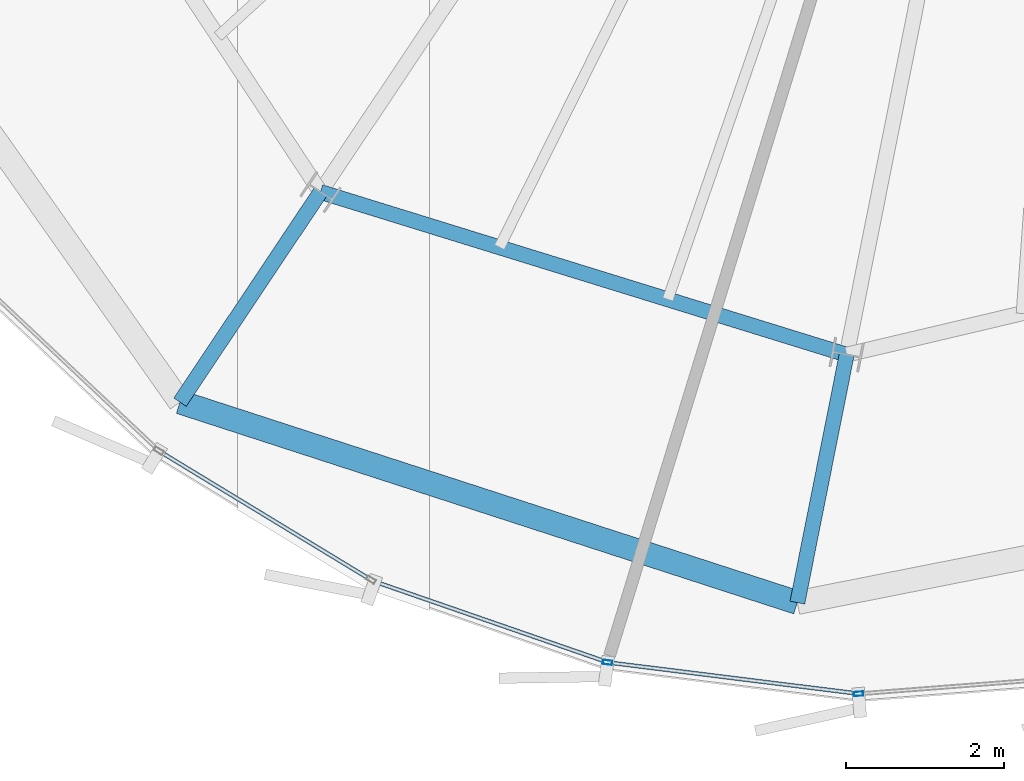
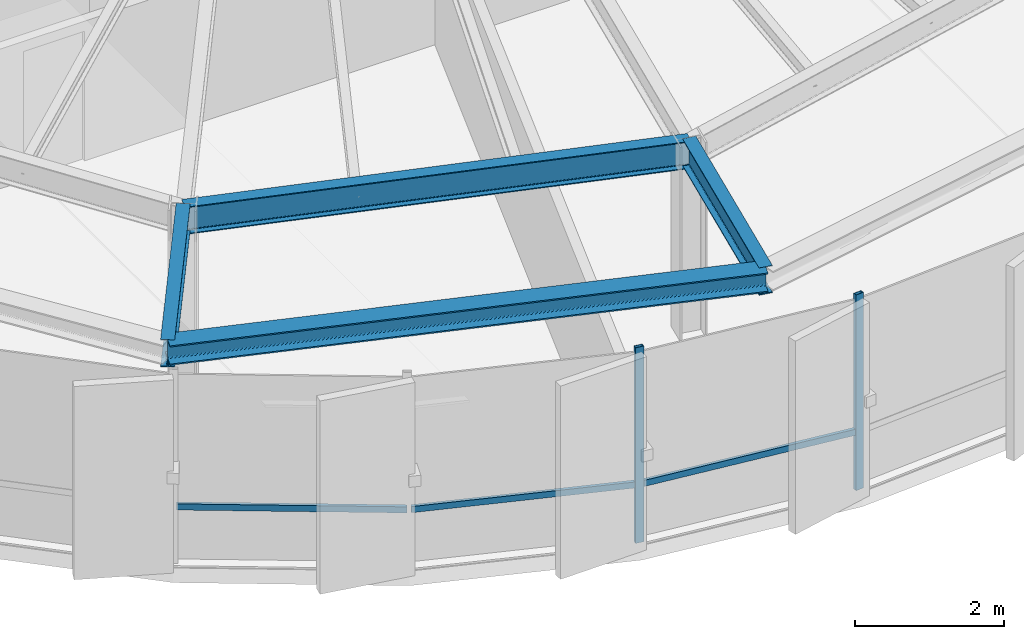
# One storey, part 3 of 30: 5 members, 4 beams, 2 elements without a shape of their own.
"""IFC4 building model written with IfcOpenShell, lengths in metres."""

from ifc_helpers import new_model, si_unit, direction, frame, origin, origin_2d, place, context, subcontext, project, spatial, hollow_rectangle, i_section, extrude, source, transform, mapped, material, layer, layer_set, material_profile, profile_set, type_object, element, aggregate, save


model = new_model("IFC4")

# Units and contexts
model_context = context("Model", 3, precision=1e-05, world=origin(), true_north=direction((0.0, 1.0)))
body_context = subcontext(model_context, "Body", "Model", "MODEL_VIEW")
ifc_project = project(units=[si_unit("LENGTHUNIT", "METRE"), si_unit("AREAUNIT", "SQUARE_METRE"), si_unit("VOLUMEUNIT", "CUBIC_METRE"), si_unit("PLANEANGLEUNIT", "RADIAN"), si_unit("MASSUNIT", "GRAM", prefix="KILO"), si_unit("THERMODYNAMICTEMPERATUREUNIT", "KELVIN")], contexts=[model_context])

# Site, building, storey
site_placement = place(None, origin())
site = spatial("IfcSite", under=ifc_project, at=site_placement, CompositionType="ELEMENT")
building_placement = place(site_placement, origin())
building = spatial("IfcBuilding", under=site, at=building_placement, Name="Kethvar Cultural Tower", CompositionType="ELEMENT")
storey_placement = place(building_placement, frame((0.0, 0.0, 293.949951171875)))
storey = spatial("IfcBuildingStorey", under=building, at=storey_placement, Name="L78", CompositionType="ELEMENT", Elevation=293.949951171875)

# Beams
ifc_material_1 = material(Name="Steel S355J2", Category="steel")
ifc_material_profile_1 = material_profile(ifc_material_1, i_section(OverallWidth=0.18994140625, OverallDepth=0.449951171875, WebThickness=0.009521484375, FlangeThickness=0.0146484375, FilletRadius=0.02099609375, at=origin_2d()), Name="Steel S355J2 — IPE450")
ifc_profile_set_1 = profile_set([ifc_material_profile_1], Name="Steel S355J2 — IPE450")
beam_type_1 = type_object("IfcBeamType", Name="BM-IPE450", PredefinedType="BEAM", material=ifc_profile_set_1)
shared_shape_1 = source(origin(), body_context, "Body", "SweptSolid", [
    extrude(i_section(OverallWidth=0.18994140625, OverallDepth=0.449951171875, WebThickness=0.009521484375, FlangeThickness=0.0146484375, FilletRadius=0.02099609375, at=origin_2d()), origin(), (0.0, 0.0, 1.0), 3.199951171875),
])
beam_1_placement = place(storey_placement, frame((36.731201171875, 12.73095703125, 2.983154296875), z_axis=(-0.555580212716, -0.831462943996, 0.0), x_axis=(0.831462943996, -0.555580212716, 0.0)))
element("IfcBeam", 1, at=beam_1_placement, inside=storey, type_object=beam_type_1, Name="L78 Perimeter Cantilever Beam RC-11", PredefinedType="BEAM", context=body_context, shape_type="MappedRepresentation", body=[
    mapped(shared_shape_1, transform((0.0, 0.0, 0.0), scale=1.0)),
])
shared_shape_2 = source(origin(), body_context, "Body", "SweptSolid", [
    extrude(i_section(OverallWidth=0.18994140625, OverallDepth=0.449951171875, WebThickness=0.009521484375, FlangeThickness=0.0146484375, FilletRadius=0.02099609375, at=origin_2d()), origin(), (0.0, 0.0, 1.0), 3.2001953125),
])
beam_2_placement = place(storey_placement, frame((43.392822265625, 10.67138671875, 2.983154296875), z_axis=(-0.195074368086, -0.980788453702, 0.0), x_axis=(0.980788453702, -0.195074368086, 0.0)))
element("IfcBeam", 2, at=beam_2_placement, inside=storey, type_object=beam_type_1, Name="L78 Perimeter Cantilever Beam RC-12", PredefinedType="BEAM", context=body_context, shape_type="MappedRepresentation", body=[
    mapped(shared_shape_2, transform((0.0, 0.0, 0.0), scale=1.0)),
])
shared_shape_3 = source(origin(), body_context, "Body", "SweptSolid", [
    extrude(i_section(OverallWidth=0.18994140625, OverallDepth=0.449951171875, WebThickness=0.009521484375, FlangeThickness=0.0146484375, FilletRadius=0.02099609375, at=origin_2d()), origin(), (0.0, 0.0, 1.0), 6.97265625),
])
beam_3_placement = place(storey_placement, frame((36.731201171875, 12.73095703125, 2.983154296875), z_axis=(0.955381444404, -0.295374839295, 0.0), x_axis=(0.295374839295, 0.955381444404, 0.0)))
element("IfcBeam", 3, at=beam_3_placement, inside=storey, type_object=beam_type_1, Name="L78 Column Ring Tie Beam CR-11", PredefinedType="BEAM", context=body_context, shape_type="MappedRepresentation", body=[
    mapped(shared_shape_3, transform((0.0, 0.0, 0.0), scale=1.0)),
])
ifc_material_profile_2 = material_profile(ifc_material_1, i_section(OverallWidth=0.300048828125, OverallDepth=0.320068359375, WebThickness=0.011474609375, FlangeThickness=0.0205078125, FilletRadius=0.027099609375, at=origin_2d()), Name="Steel S355J2 — HEB320")
ifc_profile_set_2 = profile_set([ifc_material_profile_2], Name="Steel S355J2 — HEB320")
beam_type_2 = type_object("IfcBeamType", Name="BM-SP320", PredefinedType="SPANDREL", material=ifc_profile_set_2)
shared_shape_4 = source(origin(), body_context, "Body", "SweptSolid", [
    extrude(i_section(OverallWidth=0.300048828125, OverallDepth=0.320068359375, WebThickness=0.011474609375, FlangeThickness=0.0205078125, FilletRadius=0.027099609375, at=origin_2d()), origin(), (0.0, 0.0, 1.0), 8.216796875),
])
beam_4_placement = place(storey_placement, frame((34.953369140625, 10.0703125, 3.048095703125), z_axis=(0.951117661456, -0.30882874553, 0.0), x_axis=(0.30882874553, 0.951117661456, 0.0)))
element("IfcBeam", 4, at=beam_4_placement, inside=storey, type_object=beam_type_2, Name="L78 Perimeter Spandrel Beam SP-11", PredefinedType="SPANDREL", context=body_context, shape_type="MappedRepresentation", body=[
    mapped(shared_shape_4, transform((0.0, 0.0, 0.0), scale=1.0)),
])

# Curtain wall, members
ifc_material_2 = material(Name="Aluminium 6063-T6", Category="aluminium")
ifc_layer = layer(ifc_material_2, 0.179931640625, Name="Aluminium 6063-T6", Category="aluminium")
ifc_layer_set = layer_set([ifc_layer], Name="Aluminium 6063-T6 (180 mm)")
curtain_wall_type = type_object("IfcCurtainWallType", Name="CW-SYS-05-Z56", PredefinedType="NOTDEFINED", material=ifc_layer_set)
curtain_wall_1_placement = place(storey_placement, origin())
curtain_wall_1 = element("IfcCurtainWall", 5, at=curtain_wall_1_placement, inside=storey, type_object=curtain_wall_type, Name="L78 Curtain Wall Run 04", PredefinedType="NOTDEFINED")
ifc_material_profile_3 = material_profile(ifc_material_2, hollow_rectangle(XDim=0.054931640625, YDim=0.1201171875, WallThickness=0.00390625, at=origin_2d()), Name="Aluminium 6063-T6 — RHS120x55x4")
ifc_profile_set_3 = profile_set([ifc_material_profile_3], Name="Aluminium 6063-T6 — RHS120x55x4")
member_type_1 = type_object("IfcMemberType", Name="CW-SYS-05-Z56-MUL", PredefinedType="MULLION", material=ifc_profile_set_3)
shared_shape_5 = source(origin(), body_context, "Body", "SweptSolid", [
    extrude(hollow_rectangle(XDim=0.054931640625, YDim=0.1201171875, WallThickness=0.00390625, at=origin_2d()), origin(), (0.0, 0.0, 1.0), 3.2099609375),
])
member_1_placement = place(storey_placement, frame((40.364501953125, 6.775634765625, 0.0), z_axis=(0.0, 0.0, 1.0), x_axis=(0.12360147674, 0.992331937885, 0.0)))
member_1 = element("IfcMember", 6, at=member_1_placement, type_object=member_type_1, Name="CW-L78-R04 Mullion 2", PredefinedType="MULLION", context=body_context, shape_type="MappedRepresentation", body=[
    mapped(shared_shape_5, transform((0.0, 0.0, 0.0), scale=1.0)),
])
member_2_placement = place(storey_placement, frame((43.542724609375, 6.377685546875, 0.0), z_axis=(0.0, 0.0, 1.0), x_axis=(-0.07729327653, 0.997008399866, 0.0)))
member_2 = element("IfcMember", 7, at=member_2_placement, type_object=member_type_1, Name="CW-L78-R04 Mullion 3", PredefinedType="MULLION", context=body_context, shape_type="MappedRepresentation", body=[
    mapped(shared_shape_5, transform((0.0, 0.0, 0.0), scale=1.0)),
])

# Curtain wall, member
curtain_wall_2_placement = place(storey_placement, origin())
curtain_wall_2 = element("IfcCurtainWall", 8, at=curtain_wall_2_placement, inside=storey, type_object=curtain_wall_type, Name="L78 Curtain Wall Run 03", PredefinedType="NOTDEFINED")
ifc_material_profile_4 = material_profile(ifc_material_2, hollow_rectangle(XDim=0.050048828125, YDim=0.10009765625, WallThickness=0.00390625, at=origin_2d()), Name="Aluminium 6063-T6 — RHS100x50x4")
ifc_profile_set_4 = profile_set([ifc_material_profile_4], Name="Aluminium 6063-T6 — RHS100x50x4")
member_type_2 = type_object("IfcMemberType", Name="CW-SYS-05-Z56-TRN", PredefinedType="USERDEFINED", material=ifc_profile_set_4)
shared_shape_6 = source(origin(), body_context, "Body", "SweptSolid", [
    extrude(hollow_rectangle(XDim=0.050048828125, YDim=0.10009765625, WallThickness=0.00390625, at=origin_2d()), origin(), (0.0, 0.0, 1.0), 3.098388671875),
])
member_3_placement = place(storey_placement, frame((34.719970703125, 9.431884765625, 0.949951171875), z_axis=(0.854558971031, -0.519354373266, 0.0), x_axis=(0.519354373266, 0.854558971031, 0.0)))
member_3 = element("IfcMember", 9, at=member_3_placement, type_object=member_type_2, Name="CW-L78-R03 Transom 6", ObjectType="TRANSOM", PredefinedType="USERDEFINED", context=body_context, shape_type="MappedRepresentation", body=[
    mapped(shared_shape_6, transform((0.0, 0.0, 0.0), scale=1.0)),
])
aggregate(curtain_wall_2, [member_3])

# Member
member_4_placement = place(storey_placement, frame((37.419677734375, 7.798095703125, 0.949951171875), z_axis=(0.944914854125, -0.32731623616, 0.0), x_axis=(0.32731623616, 0.944914854125, 0.0)))
member_4 = element("IfcMember", 10, at=member_4_placement, type_object=member_type_2, Name="CW-L78-R04 Transom 1", ObjectType="TRANSOM", PredefinedType="USERDEFINED", context=body_context, shape_type="MappedRepresentation", body=[
    mapped(shared_shape_6, transform((0.0, 0.0, 0.0), scale=1.0)),
])

shared_shape_7 = source(origin(), body_context, "Body", "SweptSolid", [
    extrude(hollow_rectangle(XDim=0.050048828125, YDim=0.10009765625, WallThickness=0.00390625, at=origin_2d()), origin(), (0.0, 0.0, 1.0), 3.143798828125),
])
member_5_placement = place(storey_placement, frame((40.40380859375, 6.770751953125, 0.949951171875), z_axis=(0.992327975236, -0.123633286631, 0.0), x_axis=(0.123633286631, 0.992327975236, 0.0)))
member_5 = element("IfcMember", 11, at=member_5_placement, type_object=member_type_2, Name="CW-L78-R04 Transom 2", ObjectType="TRANSOM", PredefinedType="USERDEFINED", context=body_context, shape_type="MappedRepresentation", body=[
    mapped(shared_shape_7, transform((0.0, 0.0, 0.0), scale=1.0)),
])

aggregate(curtain_wall_1, [member_1, member_2, member_4, member_5])

save(model, "model.ifc")
